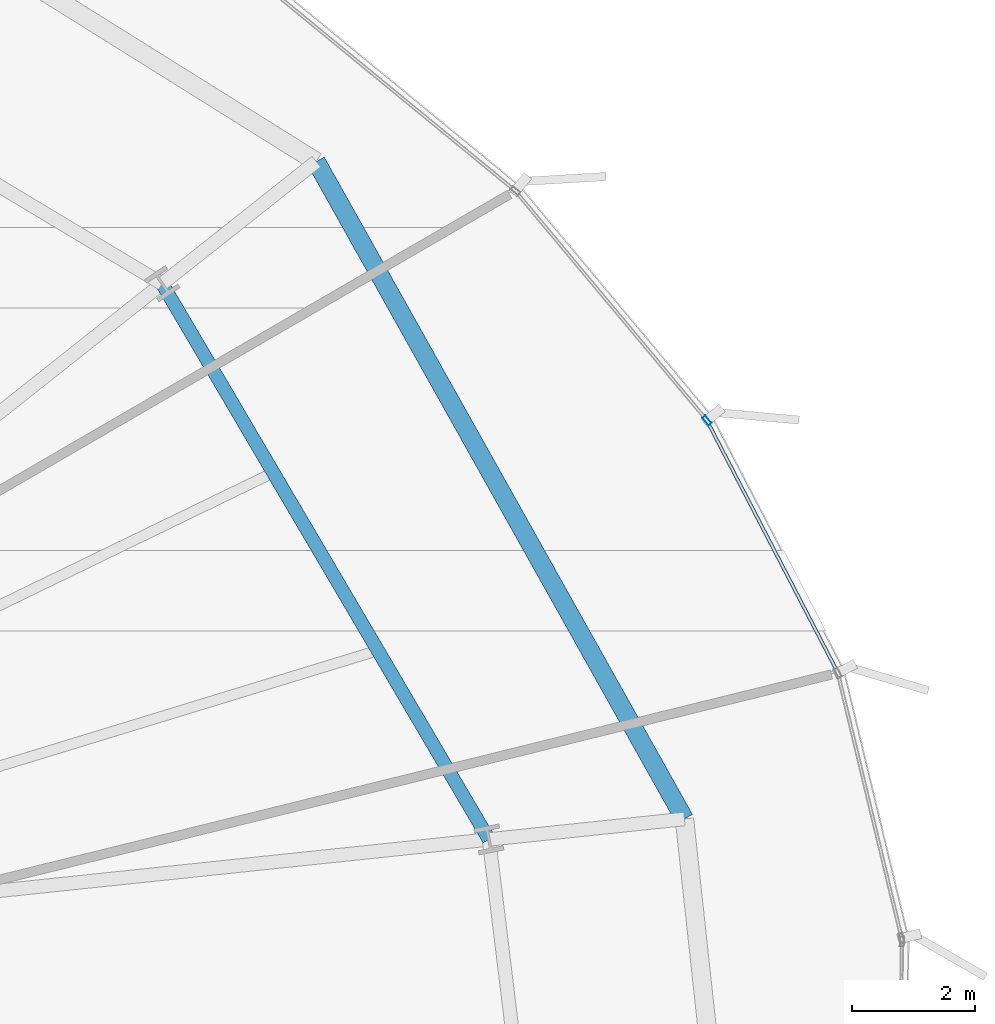
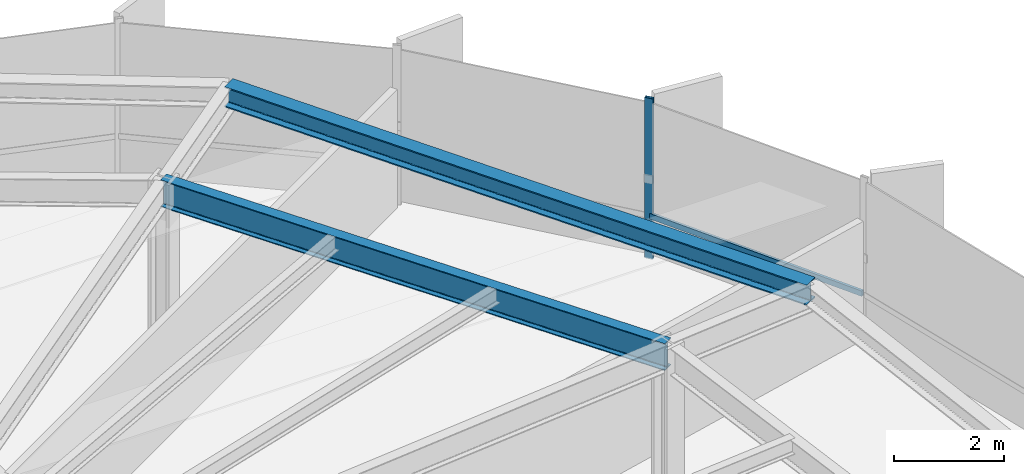
# One storey, part 24 of 37: 2 beams, 2 members, 1 element without a shape of its own.
"""IFC4 building model written with IfcOpenShell, lengths in metres."""

from ifc_helpers import new_model, si_unit, direction, frame, origin, origin_2d, place, context, subcontext, project, spatial, hollow_rectangle, i_section, extrude, source, transform, mapped, material, layer, layer_set, material_profile, profile_set, type_object, element, aggregate, save


model = new_model("IFC4")

# Units and contexts
model_context = context("Model", 3, precision=1e-05, world=origin(), true_north=direction((0.0, 1.0)))
body_context = subcontext(model_context, "Body", "Model", "MODEL_VIEW")
ifc_project = project(units=[si_unit("LENGTHUNIT", "METRE"), si_unit("AREAUNIT", "SQUARE_METRE"), si_unit("VOLUMEUNIT", "CUBIC_METRE"), si_unit("PLANEANGLEUNIT", "RADIAN"), si_unit("MASSUNIT", "GRAM", prefix="KILO"), si_unit("THERMODYNAMICTEMPERATUREUNIT", "KELVIN")], contexts=[model_context])

# Site, building, storey
site_placement = place(None, origin())
site = spatial("IfcSite", under=ifc_project, at=site_placement, CompositionType="ELEMENT")
building_placement = place(site_placement, origin())
building = spatial("IfcBuilding", under=site, at=building_placement, Name="Kethvar Cultural Tower", CompositionType="ELEMENT")
storey_placement = place(building_placement, frame((0.0, 0.0, 56.199951171875)))
storey = spatial("IfcBuildingStorey", under=building, at=storey_placement, Name="L13", CompositionType="ELEMENT", Elevation=56.199951171875)

# Beams
ifc_material_1 = material(Name="Steel S355J2", Category="steel")
ifc_material_profile_1 = material_profile(ifc_material_1, i_section(OverallWidth=0.219970703125, OverallDepth=0.60009765625, WebThickness=0.011962890625, FlangeThickness=0.01904296875, FilletRadius=0.02392578125, at=origin_2d()), Name="Steel S355J2 — IPE600")
ifc_profile_set_1 = profile_set([ifc_material_profile_1], Name="Steel S355J2 — IPE600")
beam_type_1 = type_object("IfcBeamType", Name="BM-IPE600", PredefinedType="BEAM", material=ifc_profile_set_1)
shared_shape_1 = source(origin(), body_context, "Body", "SweptSolid", [
    extrude(i_section(OverallWidth=0.219970703125, OverallDepth=0.60009765625, WebThickness=0.011962890625, FlangeThickness=0.01904296875, FilletRadius=0.02392578125, at=origin_2d()), origin(), (0.0, 0.0, 1.0), 10.496337890625),
])
beam_1_placement = place(storey_placement, frame((73.65673828125, 33.14208984375, 3.248046875), z_axis=(-0.506871712474, 0.862021500366, 0.0), x_axis=(-0.862021500366, -0.506871712474, 0.0)))
element("IfcBeam", 1, at=beam_1_placement, inside=storey, type_object=beam_type_1, Name="L13 Column Ring Tie Beam CR-01", PredefinedType="BEAM", context=body_context, shape_type="MappedRepresentation", body=[
    mapped(shared_shape_1, transform((0.0, 0.0, 0.0), scale=1.0)),
])
ifc_material_profile_2 = material_profile(ifc_material_1, i_section(OverallWidth=0.300048828125, OverallDepth=0.449951171875, WebThickness=0.013916015625, FlangeThickness=0.02587890625, FilletRadius=0.027099609375, at=origin_2d()), Name="Steel S355J2 — HEB450")
ifc_profile_set_2 = profile_set([ifc_material_profile_2], Name="Steel S355J2 — HEB450")
beam_type_2 = type_object("IfcBeamType", Name="BM-SP450", PredefinedType="SPANDREL", material=ifc_profile_set_2)
shared_shape_2 = source(origin(), body_context, "Body", "SweptSolid", [
    extrude(i_section(OverallWidth=0.300048828125, OverallDepth=0.449951171875, WebThickness=0.013916015625, FlangeThickness=0.02587890625, FilletRadius=0.027099609375, at=origin_2d()), origin(), (0.0, 0.0, 1.0), 12.266357421875),
])
beam_2_placement = place(storey_placement, frame((76.83935546875, 33.4755859375, 3.322998046875), z_axis=(-0.488708822027, 0.872446953845, 0.0), x_axis=(-0.872446953845, -0.488708822027, 0.0)))
element("IfcBeam", 2, at=beam_2_placement, inside=storey, type_object=beam_type_2, Name="L13 Perimeter Spandrel Beam SP-01", PredefinedType="SPANDREL", context=body_context, shape_type="MappedRepresentation", body=[
    mapped(shared_shape_2, transform((0.0, 0.0, 0.0), scale=1.0)),
])

# Curtain wall, members
ifc_material_2 = material(Name="Aluminium 6063-T6", Category="aluminium")
ifc_layer = layer(ifc_material_2, 0.179931640625, Name="Aluminium 6063-T6", Category="aluminium")
ifc_layer_set = layer_set([ifc_layer], Name="Aluminium 6063-T6 (180 mm)")
curtain_wall_type = type_object("IfcCurtainWallType", Name="CW-SYS-02-Z1", PredefinedType="NOTDEFINED", material=ifc_layer_set)
curtain_wall_placement = place(storey_placement, origin())
curtain_wall = element("IfcCurtainWall", 3, at=curtain_wall_placement, inside=storey, type_object=curtain_wall_type, Name="L13 Curtain Wall Run 01", PredefinedType="NOTDEFINED")
ifc_material_profile_3 = material_profile(ifc_material_2, hollow_rectangle(XDim=0.06494140625, YDim=0.159912109375, WallThickness=0.0048828125, at=origin_2d()), Name="Aluminium 6063-T6 — RHS160x65x5")
ifc_profile_set_3 = profile_set([ifc_material_profile_3], Name="Aluminium 6063-T6 — RHS160x65x5")
member_type_1 = type_object("IfcMemberType", Name="CW-SYS-02-Z1-MUL", PredefinedType="MULLION", material=ifc_profile_set_3)
shared_shape_3 = source(origin(), body_context, "Body", "SweptSolid", [
    extrude(hollow_rectangle(XDim=0.06494140625, YDim=0.159912109375, WallThickness=0.0048828125, at=origin_2d()), origin(), (0.0, 0.0, 1.0), 3.550048828125),
])
member_1_placement = place(storey_placement, frame((77.20703125, 39.964111328125, 0.0), z_axis=(0.0, 0.0, 1.0), x_axis=(-0.76740020385, -0.641168407777, 0.0)))
member_1 = element("IfcMember", 4, at=member_1_placement, type_object=member_type_1, Name="CW-L13-R01 Mullion 3", PredefinedType="MULLION", context=body_context, shape_type="MappedRepresentation", body=[
    mapped(shared_shape_3, transform((0.0, 0.0, 0.0), scale=1.0)),
])
ifc_material_profile_4 = material_profile(ifc_material_2, hollow_rectangle(XDim=0.054931640625, YDim=0.1201171875, WallThickness=0.00390625, at=origin_2d()), Name="Aluminium 6063-T6 — RHS120x55x4")
ifc_profile_set_4 = profile_set([ifc_material_profile_4], Name="Aluminium 6063-T6 — RHS120x55x4")
member_type_2 = type_object("IfcMemberType", Name="CW-SYS-02-Z1-TRN", PredefinedType="USERDEFINED", material=ifc_profile_set_4)
shared_shape_4 = source(origin(), body_context, "Body", "SweptSolid", [
    extrude(hollow_rectangle(XDim=0.054931640625, YDim=0.1201171875, WallThickness=0.00390625, at=origin_2d()), origin(), (0.0, 0.0, 1.0), 4.562255859375),
])
member_2_placement = place(storey_placement, frame((79.3173828125, 35.8955078125, 0.949951171875), z_axis=(-0.46100898283, 0.887395468633, 0.0), x_axis=(-0.887395468633, -0.46100898283, 0.0)))
member_2 = element("IfcMember", 5, at=member_2_placement, type_object=member_type_2, Name="CW-L13-R01 Transom 2", ObjectType="TRANSOM", PredefinedType="USERDEFINED", context=body_context, shape_type="MappedRepresentation", body=[
    mapped(shared_shape_4, transform((0.0, 0.0, 0.0), scale=1.0)),
])
aggregate(curtain_wall, [member_1, member_2])

save(model, "model.ifc")
